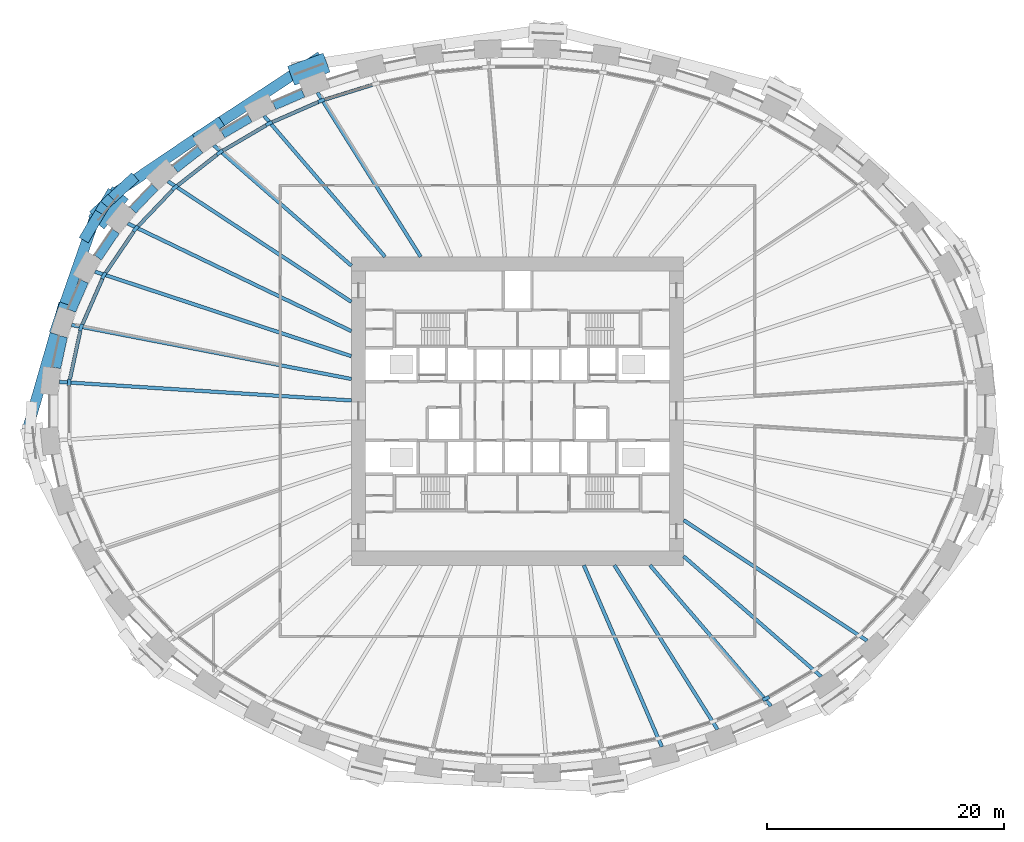
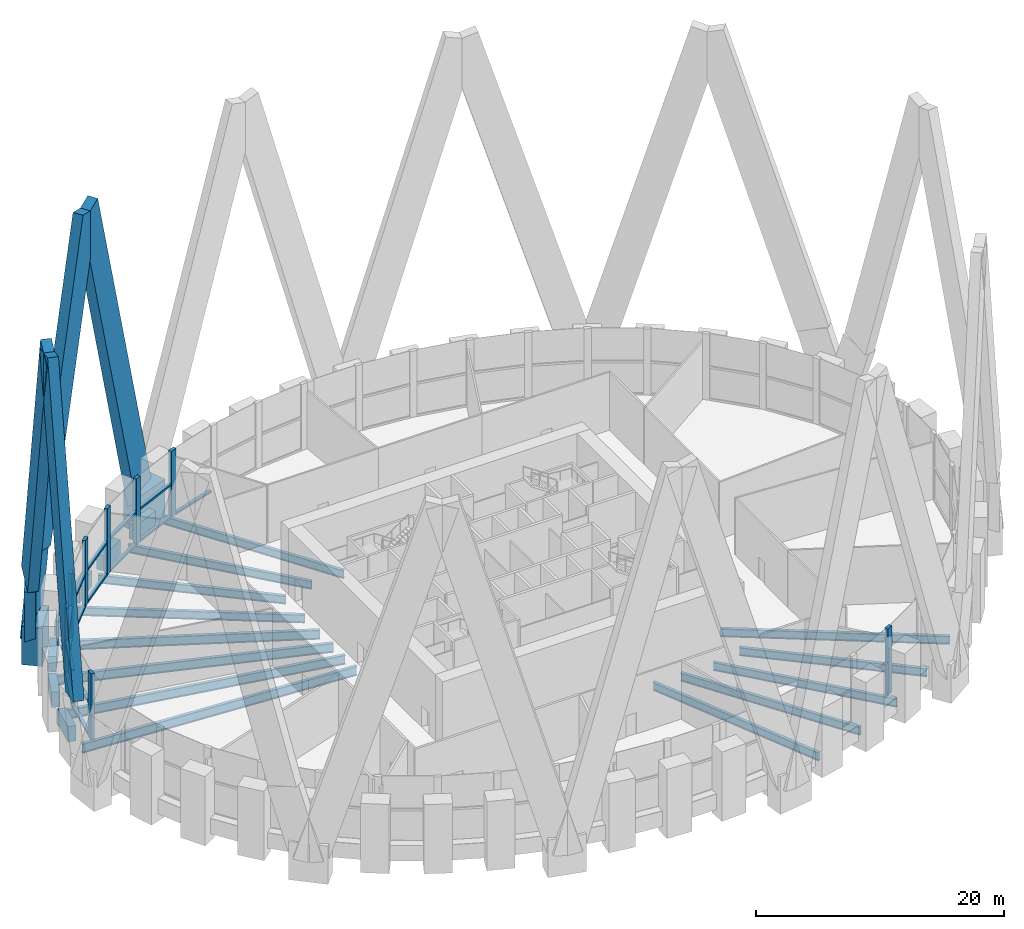
# One storey, part 3 of 17: 32 members, 20 beams, 2 elements without a shape of their own.
"""IFC4 building model written with IfcOpenShell, lengths in metres."""

from ifc_helpers import new_model, si_unit, direction, frame, origin, origin_2d, place, context, subcontext, project, spatial, rectangle, i_section, extrude, source, transform, mapped, material, material_profile, profile_set, type_object, element, aggregate, save


model = new_model("IFC4")

# Units and contexts
model_context = context("Model", 3, precision=1e-05, world=origin(), true_north=direction((0.0, 1.0)))
body_context = subcontext(model_context, "Body", "Model", "MODEL_VIEW")
ifc_project = project(units=[si_unit("LENGTHUNIT", "METRE"), si_unit("AREAUNIT", "SQUARE_METRE"), si_unit("VOLUMEUNIT", "CUBIC_METRE"), si_unit("PLANEANGLEUNIT", "RADIAN"), si_unit("MASSUNIT", "GRAM", prefix="KILO")], contexts=[model_context])

# Site, building, storey
site_placement = place(None, origin())
site = spatial("IfcSite", under=ifc_project, at=site_placement, CompositionType="ELEMENT")
building_placement = place(site_placement, origin())
building = spatial("IfcBuilding", under=site, at=building_placement, Name="Embergate Tower", CompositionType="ELEMENT")
storey_placement = place(building_placement, frame((0.0, 0.0, 125.0)))
storey = spatial("IfcBuildingStorey", under=building, at=storey_placement, Name="L27", CompositionType="ELEMENT", Elevation=125.0)

# Beams
ifc_material_1 = material(Name="Concrete C70", Category="concrete")
ifc_material_profile_1 = material_profile(ifc_material_1, rectangle(XDim=0.699951171875, YDim=1.5, at=origin_2d()), Name="RC 700x1500")
ifc_profile_set_1 = profile_set([ifc_material_profile_1], Name="Concrete C70")
beam_type_1 = type_object("IfcBeamType", Name="Spandrel beam RC 700x1500 C70", PredefinedType="BEAM", material=ifc_profile_set_1)
shared_shape_1 = source(origin(), body_context, "Body", "SweptSolid", [
    extrude(rectangle(XDim=0.699951171875, YDim=1.5, at=origin_2d()), origin(), (0.0, 0.0, 1.0), 2.6923828125),
])
beam_1_placement = place(storey_placement, frame((-38.27587890625, 6.26611328125, 0.0), z_axis=(-0.210637397384, -0.977564262247, 0.0), x_axis=(0.977564262247, -0.210637397384, 0.0)))
element("IfcBeam", 1, at=beam_1_placement, inside=storey, type_object=beam_type_1, Name="SPN-L27-20", PredefinedType="BEAM", context=body_context, shape_type="MappedRepresentation", body=[
    mapped(shared_shape_1, transform((0.0, 0.0, 0.0))),
])
shared_shape_2 = source(origin(), body_context, "Body", "SweptSolid", [
    extrude(rectangle(XDim=0.699951171875, YDim=1.5, at=origin_2d()), origin(), (0.0, 0.0, 1.0), 2.689208984375),
])
beam_2_placement = place(storey_placement, frame((-36.489013671875, 10.9169921875, 0.0), z_axis=(-0.401618751738, -0.915806954687, 0.0), x_axis=(0.915806954687, -0.401618751738, 0.0)))
element("IfcBeam", 2, at=beam_2_placement, inside=storey, type_object=beam_type_1, Name="SPN-L27-19", PredefinedType="BEAM", context=body_context, shape_type="MappedRepresentation", body=[
    mapped(shared_shape_2, transform((0.0, 0.0, 0.0))),
])
shared_shape_3 = source(origin(), body_context, "Body", "SweptSolid", [
    extrude(rectangle(XDim=0.699951171875, YDim=1.5, at=origin_2d()), origin(), (0.0, 0.0, 1.0), 2.678466796875),
])
beam_3_placement = place(storey_placement, frame((-33.85205078125, 15.134033203125, 0.0), z_axis=(-0.562207798454, -0.826996004438, 0.0), x_axis=(0.826996004438, -0.562207798454, 0.0)))
element("IfcBeam", 3, at=beam_3_placement, inside=storey, type_object=beam_type_1, Name="SPN-L27-18", PredefinedType="BEAM", context=body_context, shape_type="MappedRepresentation", body=[
    mapped(shared_shape_3, transform((0.0, 0.0, 0.0))),
])
shared_shape_4 = source(origin(), body_context, "Body", "SweptSolid", [
    extrude(rectangle(XDim=0.699951171875, YDim=1.5, at=origin_2d()), origin(), (0.0, 0.0, 1.0), 2.673583984375),
])
beam_4_placement = place(storey_placement, frame((-30.56103515625, 18.85791015625, 0.0), z_axis=(-0.690104255292, -0.72370996734, 0.0), x_axis=(0.72370996734, -0.690104255292, 0.0)))
element("IfcBeam", 4, at=beam_4_placement, inside=storey, type_object=beam_type_1, Name="SPN-L27-17", PredefinedType="BEAM", context=body_context, shape_type="MappedRepresentation", body=[
    mapped(shared_shape_4, transform((0.0, 0.0, 0.0))),
])
shared_shape_5 = source(origin(), body_context, "Body", "SweptSolid", [
    extrude(rectangle(XDim=0.699951171875, YDim=1.5, at=origin_2d()), origin(), (0.0, 0.0, 1.0), 2.666015625),
])
beam_5_placement = place(storey_placement, frame((-26.741943359375, 22.028076171875, 0.0), z_axis=(-0.788088232686, -0.615562293762, 0.0), x_axis=(0.615562293762, -0.788088232686, 0.0)))
element("IfcBeam", 5, at=beam_5_placement, inside=storey, type_object=beam_type_1, Name="SPN-L27-16", PredefinedType="BEAM", context=body_context, shape_type="MappedRepresentation", body=[
    mapped(shared_shape_5, transform((0.0, 0.0, 0.0))),
])
shared_shape_6 = source(origin(), body_context, "Body", "SweptSolid", [
    extrude(rectangle(XDim=0.699951171875, YDim=1.5, at=origin_2d()), origin(), (0.0, 0.0, 1.0), 2.661376953125),
])
beam_6_placement = place(storey_placement, frame((-22.5458984375, 24.669921875, 0.0), z_axis=(-0.862040317261, -0.506839709787, 0.0), x_axis=(0.506839709787, -0.862040317261, 0.0)))
element("IfcBeam", 6, at=beam_6_placement, inside=storey, type_object=beam_type_1, Name="SPN-L27-15", PredefinedType="BEAM", context=body_context, shape_type="MappedRepresentation", body=[
    mapped(shared_shape_6, transform((0.0, 0.0, 0.0))),
])
shared_shape_7 = source(origin(), body_context, "Body", "SweptSolid", [
    extrude(rectangle(XDim=0.699951171875, YDim=1.5, at=origin_2d()), origin(), (0.0, 0.0, 1.0), 2.658203125),
])
beam_7_placement = place(storey_placement, frame((-18.06103515625, 26.780029296875, 0.0), z_axis=(-0.916405886448, -0.400250235833, 0.0), x_axis=(0.400250235833, -0.916405886448, 0.0)))
element("IfcBeam", 7, at=beam_7_placement, inside=storey, type_object=beam_type_1, Name="SPN-L27-14", PredefinedType="BEAM", context=body_context, shape_type="MappedRepresentation", body=[
    mapped(shared_shape_7, transform((0.0, 0.0, 0.0))),
])
ifc_material_2 = material(Name="Steel Q355B", Category="steel")
ifc_material_profile_2 = material_profile(ifc_material_2, i_section(OverallWidth=0.300048828125, OverallDepth=0.89990234375, WebThickness=0.01611328125, FlangeThickness=0.028076171875, FilletRadius=0.028076171875, at=origin_2d()), Name="HN 900x300x16x28")
ifc_profile_set_2 = profile_set([ifc_material_profile_2], Name="Steel Q355 grade B")
beam_type_2 = type_object("IfcBeamType", Name="Radial girder HN 900x300x16x28", PredefinedType="BEAM", material=ifc_profile_set_2)
shared_shape_8 = source(origin(), body_context, "Body", "SweptSolid", [
    extrude(i_section(OverallWidth=0.300048828125, OverallDepth=0.89990234375, WebThickness=0.01611328125, FlangeThickness=0.028076171875, FilletRadius=0.028076171875, at=origin_2d()), origin(), (0.0, 0.0, 1.0), 24.66552734375),
])
beam_8_placement = place(storey_placement, frame((-38.615966796875, 2.452880859375, -0.75), z_axis=(0.997987769209, -0.063406722897, 0.0), x_axis=(0.063406722897, 0.997987769209, 0.0)))
element("IfcBeam", 8, at=beam_8_placement, inside=storey, type_object=beam_type_2, Name="GIR-L27-21", PredefinedType="BEAM", context=body_context, shape_type="MappedRepresentation", body=[
    mapped(shared_shape_8, transform((0.0, 0.0, 0.0))),
])
shared_shape_9 = source(origin(), body_context, "Body", "SweptSolid", [
    extrude(i_section(OverallWidth=0.300048828125, OverallDepth=0.89990234375, WebThickness=0.01611328125, FlangeThickness=0.028076171875, FilletRadius=0.028076171875, at=origin_2d()), origin(), (0.0, 0.0, 1.0), 24.018798828125),
])
beam_9_placement = place(storey_placement, frame((-37.583984375, 7.25, -0.75), z_axis=(0.981893025148, -0.18943623509, 0.0), x_axis=(0.18943623509, 0.981893025148, 0.0)))
element("IfcBeam", 9, at=beam_9_placement, inside=storey, type_object=beam_type_2, Name="GIR-L27-20", PredefinedType="BEAM", context=body_context, shape_type="MappedRepresentation", body=[
    mapped(shared_shape_9, transform((0.0, 0.0, 0.0))),
])
shared_shape_10 = source(origin(), body_context, "Body", "SweptSolid", [
    extrude(i_section(OverallWidth=0.300048828125, OverallDepth=0.89990234375, WebThickness=0.01611328125, FlangeThickness=0.028076171875, FilletRadius=0.028076171875, at=origin_2d()), origin(), (0.0, 0.0, 1.0), 22.758056640625),
])
beam_10_placement = place(storey_placement, frame((-35.613037109375, 11.7451171875, -0.75), z_axis=(0.949682619366, -0.313213860603, 0.0), x_axis=(0.313213860603, 0.949682619366, 0.0)))
element("IfcBeam", 10, at=beam_10_placement, inside=storey, type_object=beam_type_2, Name="GIR-L27-19", PredefinedType="BEAM", context=body_context, shape_type="MappedRepresentation", body=[
    mapped(shared_shape_10, transform((0.0, 0.0, 0.0))),
])
shared_shape_11 = source(origin(), body_context, "Body", "SweptSolid", [
    extrude(i_section(OverallWidth=0.300048828125, OverallDepth=0.89990234375, WebThickness=0.01611328125, FlangeThickness=0.028076171875, FilletRadius=0.028076171875, at=origin_2d()), origin(), (0.0, 0.0, 1.0), 20.919921875),
])
beam_11_placement = place(storey_placement, frame((-32.85205078125, 15.803955078125, -0.75), z_axis=(0.901152314796, -0.433502601536, 0.0), x_axis=(0.433502601536, 0.901152314796, 0.0)))
element("IfcBeam", 11, at=beam_11_placement, inside=storey, type_object=beam_type_2, Name="GIR-L27-18", PredefinedType="BEAM", context=body_context, shape_type="MappedRepresentation", body=[
    mapped(shared_shape_11, transform((0.0, 0.0, 0.0))),
])
ifc_material_profile_3 = material_profile(ifc_material_2, i_section(OverallWidth=0.300048828125, OverallDepth=0.800048828125, WebThickness=0.013916015625, FlangeThickness=0.02587890625, FilletRadius=0.028076171875, at=origin_2d()), Name="HN 800x300x14x26")
ifc_profile_set_3 = profile_set([ifc_material_profile_3], Name="Steel Q355 grade B")
beam_type_3 = type_object("IfcBeamType", Name="Radial girder HN 800x300x14x26", PredefinedType="BEAM", material=ifc_profile_set_3)
shared_shape_12 = source(origin(), body_context, "Body", "SweptSolid", [
    extrude(i_section(OverallWidth=0.300048828125, OverallDepth=0.800048828125, WebThickness=0.013916015625, FlangeThickness=0.02587890625, FilletRadius=0.028076171875, at=origin_2d()), origin(), (0.0, 0.0, 1.0), 18.501953125),
])
for number, where, z_axis, x_axis, name in (
    (12, (-29.462890625, 19.35791015625, -0.699951171875), (0.835740602897, -0.549124434596, 0.0), (0.549124434596, 0.835740602897, 0.0), "GIR-L27-17"),
    (13, (29.462890625, -19.35791015625, -0.699951171875), (-0.835740602897, 0.549124434596, 0.0), (-0.549124434596, -0.835740602897, 0.0), "GIR-L27-39"),
):
    element("IfcBeam", number, at=place(storey_placement, frame(where, z_axis=z_axis, x_axis=x_axis)), inside=storey, type_object=beam_type_3, Name=name, PredefinedType="BEAM", context=body_context, shape_type="MappedRepresentation", body=[
        mapped(shared_shape_12, transform((0.0, 0.0, 0.0))),
    ])
shared_shape_13 = source(origin(), body_context, "Body", "SweptSolid", [
    extrude(i_section(OverallWidth=0.300048828125, OverallDepth=0.800048828125, WebThickness=0.013916015625, FlangeThickness=0.02587890625, FilletRadius=0.028076171875, at=origin_2d()), origin(), (0.0, 0.0, 1.0), 15.399169921875),
])
for number, where, z_axis, x_axis, name in (
    (14, (-25.592041015625, 22.3798828125, -0.699951171875), (0.752772102856, -0.658281217385, 0.0), (0.658281217385, 0.752772102856, 0.0), "GIR-L27-16"),
    (15, (25.592041015625, -22.3798828125, -0.699951171875), (-0.752772102856, 0.658281217385, 0.0), (-0.658281217385, -0.752772102856, 0.0), "GIR-L27-38"),
):
    element("IfcBeam", number, at=place(storey_placement, frame(where, z_axis=z_axis, x_axis=x_axis)), inside=storey, type_object=beam_type_3, Name=name, PredefinedType="BEAM", context=body_context, shape_type="MappedRepresentation", body=[
        mapped(shared_shape_13, transform((0.0, 0.0, 0.0))),
    ])
shared_shape_14 = source(origin(), body_context, "Body", "SweptSolid", [
    extrude(i_section(OverallWidth=0.300048828125, OverallDepth=0.800048828125, WebThickness=0.013916015625, FlangeThickness=0.02587890625, FilletRadius=0.028076171875, at=origin_2d()), origin(), (0.0, 0.0, 1.0), 15.64599609375),
])
for number, where, z_axis, x_axis, name in (
    (16, (-21.35693359375, 24.8701171875, -0.699951171875), (0.651472185751, -0.758672519071, 0.0), (0.758672519071, 0.651472185751, 0.0), "GIR-L27-15"),
    (17, (21.35693359375, -24.8701171875, -0.699951171875), (-0.651472185751, 0.758672519071, 0.0), (-0.758672519071, -0.651472185751, 0.0), "GIR-L27-37"),
):
    element("IfcBeam", number, at=place(storey_placement, frame(where, z_axis=z_axis, x_axis=x_axis)), inside=storey, type_object=beam_type_3, Name=name, PredefinedType="BEAM", context=body_context, shape_type="MappedRepresentation", body=[
        mapped(shared_shape_14, transform((0.0, 0.0, 0.0))),
    ])
shared_shape_15 = source(origin(), body_context, "Body", "SweptSolid", [
    extrude(i_section(OverallWidth=0.300048828125, OverallDepth=0.800048828125, WebThickness=0.013916015625, FlangeThickness=0.02587890625, FilletRadius=0.028076171875, at=origin_2d()), origin(), (0.0, 0.0, 1.0), 16.3408203125),
])
for number, where, z_axis, x_axis, name in (
    (18, (-16.85595703125, 26.837890625, -0.699951171875), (0.531856347721, -0.846834591517, 0.0), (0.846834591517, 0.531856347721, 0.0), "GIR-L27-14"),
    (19, (16.85595703125, -26.837890625, -0.699951171875), (-0.531856347721, 0.846834591517, 0.0), (-0.846834591517, -0.531856347721, 0.0), "GIR-L27-36"),
):
    element("IfcBeam", number, at=place(storey_placement, frame(where, z_axis=z_axis, x_axis=x_axis)), inside=storey, type_object=beam_type_3, Name=name, PredefinedType="BEAM", context=body_context, shape_type="MappedRepresentation", body=[
        mapped(shared_shape_15, transform((0.0, 0.0, 0.0))),
    ])
shared_shape_16 = source(origin(), body_context, "Body", "SweptSolid", [
    extrude(i_section(OverallWidth=0.300048828125, OverallDepth=0.800048828125, WebThickness=0.013916015625, FlangeThickness=0.02587890625, FilletRadius=0.028076171875, at=origin_2d()), origin(), (0.0, 0.0, 1.0), 16.652587890625),
])
beam_12_placement = place(storey_placement, frame((12.1640625, -28.299072265625, -0.699951171875), z_axis=(-0.394904635078, 0.918722117506, 0.0), x_axis=(-0.918722117506, -0.394904635078, 0.0)))
element("IfcBeam", 20, at=beam_12_placement, inside=storey, type_object=beam_type_3, Name="GIR-L27-35", PredefinedType="BEAM", context=body_context, shape_type="MappedRepresentation", body=[
    mapped(shared_shape_16, transform((0.0, 0.0, 0.0))),
])

# Members
ifc_material_profile_4 = material_profile(ifc_material_1, rectangle(XDim=1.699951171875, YDim=3.199951171875, at=origin_2d()), Name="RC 1700x3200")
ifc_profile_set_4 = profile_set([ifc_material_profile_4], Name="Concrete C70")
member_type_1 = type_object("IfcMemberType", Name="Lattice node block RC 1700x3200", PredefinedType="POST", material=ifc_profile_set_4)
shared_shape_17 = source(origin(), body_context, "Body", "SweptSolid", [
    extrude(rectangle(XDim=1.699951171875, YDim=3.199951171875, at=origin_2d()), origin(), (0.0, 0.0, 1.0), 3.7001953125),
])
member_1_placement = place(storey_placement, frame((-17.5869140625, 28.806884765625, -1.85009765625), z_axis=(0.0, 0.0, 1.0), x_axis=(-0.348343015724, 0.93736713373, 0.0)))
element("IfcMember", 21, at=member_1_placement, inside=storey, type_object=member_type_1, Name="NOD-L27-14", PredefinedType="POST", context=body_context, shape_type="MappedRepresentation", body=[
    mapped(shared_shape_17, transform((0.0, 0.0, 0.0))),
])
ifc_material_profile_5 = material_profile(ifc_material_1, rectangle(XDim=1.699951171875, YDim=3.25, at=origin_2d()), Name="RC 1700x3250")
ifc_profile_set_5 = profile_set([ifc_material_profile_5], Name="Concrete C70")
member_type_2 = type_object("IfcMemberType", Name="Lattice node block RC 1700x3250", PredefinedType="POST", material=ifc_profile_set_5)
shared_shape_18 = source(origin(), body_context, "Body", "SweptSolid", [
    extrude(rectangle(XDim=1.699951171875, YDim=3.25, at=origin_2d()), origin(), (0.0, 0.0, 1.0), 3.75),
])
member_2_placement = place(storey_placement, frame((-34.48193359375, 17.12890625, -1.875), z_axis=(0.0, 0.0, 1.0), x_axis=(-0.775914301615, 0.630838328377, 0.0)))
element("IfcMember", 22, at=member_2_placement, inside=storey, type_object=member_type_2, Name="NOD-L27-18", PredefinedType="POST", context=body_context, shape_type="MappedRepresentation", body=[
    mapped(shared_shape_18, transform((0.0, 0.0, 0.0))),
])
ifc_material_profile_6 = material_profile(ifc_material_1, rectangle(XDim=0.89990234375, YDim=2.800048828125, at=origin_2d()), Name="RC 900x2800")
ifc_profile_set_6 = profile_set([ifc_material_profile_6], Name="Concrete C70")
member_type_3 = type_object("IfcMemberType", Name="Lattice diagonal terracotta-faced RC 900x2800", PredefinedType="BRACE", material=ifc_profile_set_6)
shared_shape_19 = source(origin(), body_context, "Body", "SweptSolid", [
    extrude(rectangle(XDim=0.89990234375, YDim=2.800048828125, at=origin_2d()), origin(), (0.0, 0.0, 1.0), 36.2958984375),
])
member_3_placement = place(storey_placement, frame((-17.7109375, 29.139892578125, 0.0), z_axis=(-0.229699296413, -0.150617196558, 0.961536631298), x_axis=(0.548343486875, -0.836253203523, 0.0)))
element("IfcMember", 23, at=member_3_placement, inside=storey, type_object=member_type_3, Name="BRC-L27-14-16-S00", PredefinedType="BRACE", context=body_context, shape_type="MappedRepresentation", body=[
    mapped(shared_shape_19, transform((0.0, 0.0, 0.0))),
])
shared_shape_20 = source(origin(), body_context, "Body", "SweptSolid", [
    extrude(rectangle(XDim=0.89990234375, YDim=2.800048828125, at=origin_2d()), origin(), (0.0, 0.0, 1.0), 7.325927734375),
])
member_4_placement = place(storey_placement, frame((-34.791015625, 17.3798828125, 0.0), z_axis=(0.217182302212, 0.199586436696, 0.955508818323), x_axis=(-0.676650122659, 0.736304700179, 0.0)))
element("IfcMember", 24, at=member_4_placement, inside=storey, type_object=member_type_3, Name="BRC-L27-18-16-S00", PredefinedType="BRACE", context=body_context, shape_type="MappedRepresentation", body=[
    mapped(shared_shape_20, transform((0.0, 0.0, 0.0))),
])
shared_shape_21 = source(origin(), body_context, "Body", "SweptSolid", [
    extrude(rectangle(XDim=0.89990234375, YDim=2.800048828125, at=origin_2d()), origin(), (0.0, 0.0, 1.0), 29.204345703125),
])
member_5_placement = place(storey_placement, frame((-33.199951171875, 18.842041015625, 7.0), z_axis=(0.244890273656, 0.16542256896, 0.955334563149), x_axis=(-0.559755577265, 0.828657766343, 0.0)))
element("IfcMember", 25, at=member_5_placement, inside=storey, type_object=member_type_3, Name="BRC-L27-18-16-S01", PredefinedType="BRACE", context=body_context, shape_type="MappedRepresentation", body=[
    mapped(shared_shape_21, transform((0.0, 0.0, 0.0))),
])
shared_shape_22 = source(origin(), body_context, "Body", "SweptSolid", [
    extrude(rectangle(XDim=0.89990234375, YDim=2.800048828125, at=origin_2d()), origin(), (0.0, 0.0, 1.0), 7.31640625),
])
member_6_placement = place(storey_placement, frame((-34.791015625, 17.3798828125, 0.0), z_axis=(-0.148558636958, -0.25010040072, 0.956754995255), x_axis=(0.859761883795, -0.510695117632, 0.0)))
element("IfcMember", 26, at=member_6_placement, inside=storey, type_object=member_type_3, Name="BRC-L27-18-20-S00", PredefinedType="BRACE", context=body_context, shape_type="MappedRepresentation", body=[
    mapped(shared_shape_22, transform((0.0, 0.0, 0.0))),
])
shared_shape_23 = source(origin(), body_context, "Body", "SweptSolid", [
    extrude(rectangle(XDim=0.89990234375, YDim=2.800048828125, at=origin_2d()), origin(), (0.0, 0.0, 1.0), 29.0888671875),
])
member_7_placement = place(storey_placement, frame((-35.8779296875, 15.550048828125, 7.0), z_axis=(-0.09333756313, -0.26714635684, 0.959125082216), x_axis=(0.944038546326, -0.329835145262, 0.0)))
element("IfcMember", 27, at=member_7_placement, inside=storey, type_object=member_type_3, Name="BRC-L27-18-20-S01", PredefinedType="BRACE", context=body_context, shape_type="MappedRepresentation", body=[
    mapped(shared_shape_23, transform((0.0, 0.0, 0.0))),
])
shared_shape_24 = source(origin(), body_context, "Body", "SweptSolid", [
    extrude(rectangle(XDim=0.89990234375, YDim=2.800048828125, at=origin_2d()), origin(), (0.0, 0.0, 1.0), 29.21484375),
])
member_8_placement = place(storey_placement, frame((-41.0009765625, -0.5458984375, 7.0), z_axis=(0.082422423744, 0.284956121592, 0.954990341748), x_axis=(-0.960622656492, 0.277856279098, 0.0)))
element("IfcMember", 28, at=member_8_placement, inside=storey, type_object=member_type_3, Name="BRC-L27-22-20-S01", PredefinedType="BRACE", context=body_context, shape_type="MappedRepresentation", body=[
    mapped(shared_shape_24, transform((0.0, 0.0, 0.0))),
])

# Curtain wall, members
ifc_material_3 = material(Name="Aluminium and glass", Category="aluminium")
curtain_wall_type = type_object("IfcCurtainWallType", Name="Sky lobby high glazing", PredefinedType="NOTDEFINED", material=ifc_material_3)
curtain_wall_1_placement = place(storey_placement, origin())
curtain_wall_1 = element("IfcCurtainWall", 29, at=curtain_wall_1_placement, inside=storey, type_object=curtain_wall_type, Name="Sky lobby high glazing run 2", ObjectType="SKY LOBBY HIGH GLAZING", PredefinedType="USERDEFINED")
ifc_material_4 = material(Name="Aluminium, thermally broken", Category="aluminium")
ifc_material_profile_7 = material_profile(ifc_material_4, rectangle(XDim=0.300048828125, YDim=0.60009765625, at=origin_2d()), Name="AL 600x300")
ifc_profile_set_7 = profile_set([ifc_material_profile_7], Name="Aluminium, thermally broken")
member_type_4 = type_object("IfcMemberType", Name="Sky lobby mullion", PredefinedType="MULLION", material=ifc_profile_set_7)
shared_shape_25 = source(origin(), body_context, "Body", "SweptSolid", [
    extrude(rectangle(XDim=0.300048828125, YDim=0.60009765625, at=origin_2d()), origin(), (0.0, 0.0, 1.0), 6.5),
])
member_9_placement = place(storey_placement, frame((-16.532470703125, 26.151611328125, 0.0), z_axis=(0.0, 0.0, 1.0), x_axis=(0.349497777064, -0.936937193107, 0.0)))
member_9 = element("IfcMember", 30, at=member_9_placement, type_object=member_type_4, Name="CW mullion 4", PredefinedType="MULLION", context=body_context, shape_type="MappedRepresentation", body=[
    mapped(shared_shape_25, transform((0.0, 0.0, 0.0))),
])
member_10_placement = place(storey_placement, frame((-20.9423828125, 24.223388671875, 0.0), z_axis=(0.0, 0.0, 1.0), x_axis=(0.45450516197, -0.8907441034, 0.0)))
member_10 = element("IfcMember", 31, at=member_10_placement, type_object=member_type_4, Name="CW mullion 5", PredefinedType="MULLION", context=body_context, shape_type="MappedRepresentation", body=[
    mapped(shared_shape_25, transform((0.0, 0.0, 0.0))),
])
member_11_placement = place(storey_placement, frame((-25.087158203125, 21.78662109375, 0.0), z_axis=(0.0, 0.0, 1.0), x_axis=(0.562208958301, -0.826995215951, 0.0)))
member_11 = element("IfcMember", 32, at=member_11_placement, type_object=member_type_4, Name="CW mullion 6", PredefinedType="MULLION", context=body_context, shape_type="MappedRepresentation", body=[
    mapped(shared_shape_25, transform((0.0, 0.0, 0.0))),
])
member_12_placement = place(storey_placement, frame((-28.871826171875, 18.832763671875, 0.0), z_axis=(0.0, 0.0, 1.0), x_axis=(0.671218771544, -0.741259307346, 0.0)))
member_12 = element("IfcMember", 33, at=member_12_placement, type_object=member_type_4, Name="CW mullion 7", PredefinedType="MULLION", context=body_context, shape_type="MappedRepresentation", body=[
    mapped(shared_shape_25, transform((0.0, 0.0, 0.0))),
])
member_13_placement = place(storey_placement, frame((-32.179443359375, 15.364501953125, 0.0), z_axis=(0.0, 0.0, 1.0), x_axis=(0.777863789852, -0.628432911643, 0.0)))
member_13 = element("IfcMember", 34, at=member_13_placement, type_object=member_type_4, Name="CW mullion 8", PredefinedType="MULLION", context=body_context, shape_type="MappedRepresentation", body=[
    mapped(shared_shape_25, transform((0.0, 0.0, 0.0))),
])
member_14_placement = place(storey_placement, frame((-34.868896484375, 11.40966796875, 0.0), z_axis=(0.0, 0.0, 1.0), x_axis=(0.874995136163, -0.484131709032, 0.0)))
member_14 = element("IfcMember", 35, at=member_14_placement, type_object=member_type_4, Name="CW mullion 9", PredefinedType="MULLION", context=body_context, shape_type="MappedRepresentation", body=[
    mapped(shared_shape_25, transform((0.0, 0.0, 0.0))),
])
member_15_placement = place(storey_placement, frame((-36.785888671875, 7.0390625, 0.0), z_axis=(0.0, 0.0, 1.0), x_axis=(0.9514940392, -0.307667179542, 0.0)))
member_15 = element("IfcMember", 36, at=member_15_placement, type_object=member_type_4, Name="CW mullion 10", PredefinedType="MULLION", context=body_context, shape_type="MappedRepresentation", body=[
    mapped(shared_shape_25, transform((0.0, 0.0, 0.0))),
])
member_16_placement = place(storey_placement, frame((-37.788330078125, 2.380859375, 0.0), z_axis=(0.0, 0.0, 1.0), x_axis=(0.994384400633, -0.105828463931, 0.0)))
member_16 = element("IfcMember", 37, at=member_16_placement, type_object=member_type_4, Name="CW mullion 11", PredefinedType="MULLION", context=body_context, shape_type="MappedRepresentation", body=[
    mapped(shared_shape_25, transform((0.0, 0.0, 0.0))),
])

# Curtain wall, member
curtain_wall_2_placement = place(storey_placement, origin())
curtain_wall_2 = element("IfcCurtainWall", 38, at=curtain_wall_2_placement, inside=storey, type_object=curtain_wall_type, Name="Sky lobby high glazing run 4", ObjectType="SKY LOBBY HIGH GLAZING", PredefinedType="USERDEFINED")
member_17_placement = place(storey_placement, frame((20.9423828125, -24.223388671875, 0.0), z_axis=(0.0, 0.0, 1.0), x_axis=(-0.45450516197, 0.8907441034, 0.0)))
member_17 = element("IfcMember", 39, at=member_17_placement, type_object=member_type_4, Name="CW mullion 5", PredefinedType="MULLION", context=body_context, shape_type="MappedRepresentation", body=[
    mapped(shared_shape_25, transform((0.0, 0.0, 0.0))),
])
aggregate(curtain_wall_2, [member_17])

# Member
ifc_material_profile_8 = material_profile(ifc_material_4, rectangle(XDim=0.300048828125, YDim=0.179931640625, at=origin_2d()), Name="AL 180x300")
ifc_profile_set_8 = profile_set([ifc_material_profile_8], Name="Aluminium, thermally broken")
member_type_5 = type_object("IfcMemberType", Name="Sky lobby transom", PredefinedType="USERDEFINED", material=ifc_profile_set_8)
shared_shape_26 = source(origin(), body_context, "Body", "SweptSolid", [
    extrude(rectangle(XDim=0.300048828125, YDim=0.179931640625, at=origin_2d()), origin(), (0.0, 0.0, 1.0), 4.172607421875),
])
member_18_placement = place(storey_placement, frame((-34.989501953125, 11.135009765625, 0.090087890625), z_axis=(-0.401616728109, -0.915807842128, 0.0), x_axis=(0.915807842128, -0.401616728109, 0.0)))
member_18 = element("IfcMember", 40, at=member_18_placement, type_object=member_type_5, Name="CW transom 9.1", ObjectType="TRANSOM", PredefinedType="USERDEFINED", context=body_context, shape_type="MappedRepresentation", body=[
    mapped(shared_shape_26, transform((0.0, 0.0, 0.0))),
])

member_19_placement = place(storey_placement, frame((-34.989501953125, 11.135009765625, 3.25), z_axis=(-0.401616728109, -0.915807842128, 0.0), x_axis=(0.915807842128, -0.401616728109, 0.0)))
member_19 = element("IfcMember", 41, at=member_19_placement, type_object=member_type_5, Name="CW transom 9.2", ObjectType="TRANSOM", PredefinedType="USERDEFINED", context=body_context, shape_type="MappedRepresentation", body=[
    mapped(shared_shape_26, transform((0.0, 0.0, 0.0))),
])

shared_shape_27 = source(origin(), body_context, "Body", "SweptSolid", [
    extrude(rectangle(XDim=0.300048828125, YDim=0.179931640625, at=origin_2d()), origin(), (0.0, 0.0, 1.0), 4.1826171875),
])
member_20_placement = place(storey_placement, frame((-32.34814453125, 15.116455078125, 0.090087890625), z_axis=(-0.562327583089, -0.826914559853, 0.0), x_axis=(0.826914559853, -0.562327583089, 0.0)))
member_20 = element("IfcMember", 42, at=member_20_placement, type_object=member_type_5, Name="CW transom 8.1", ObjectType="TRANSOM", PredefinedType="USERDEFINED", context=body_context, shape_type="MappedRepresentation", body=[
    mapped(shared_shape_27, transform((0.0, 0.0, 0.0))),
])

member_21_placement = place(storey_placement, frame((-32.34814453125, 15.116455078125, 3.25), z_axis=(-0.562327583089, -0.826914559853, 0.0), x_axis=(0.826914559853, -0.562327583089, 0.0)))
member_21 = element("IfcMember", 43, at=member_21_placement, type_object=member_type_5, Name="CW transom 8.2", ObjectType="TRANSOM", PredefinedType="USERDEFINED", context=body_context, shape_type="MappedRepresentation", body=[
    mapped(shared_shape_27, transform((0.0, 0.0, 0.0))),
])

shared_shape_28 = source(origin(), body_context, "Body", "SweptSolid", [
    extrude(rectangle(XDim=0.300048828125, YDim=0.179931640625, at=origin_2d()), origin(), (0.0, 0.0, 1.0), 4.192626953125),
])
member_22_placement = place(storey_placement, frame((-29.078857421875, 18.61572265625, 0.090087890625), z_axis=(-0.690137750546, -0.723678025969, 0.0), x_axis=(0.723678025969, -0.690137750546, 0.0)))
member_22 = element("IfcMember", 44, at=member_22_placement, type_object=member_type_5, Name="CW transom 7.1", ObjectType="TRANSOM", PredefinedType="USERDEFINED", context=body_context, shape_type="MappedRepresentation", body=[
    mapped(shared_shape_28, transform((0.0, 0.0, 0.0))),
])

member_23_placement = place(storey_placement, frame((-29.078857421875, 18.61572265625, 3.25), z_axis=(-0.690137750546, -0.723678025969, 0.0), x_axis=(0.723678025969, -0.690137750546, 0.0)))
member_23 = element("IfcMember", 45, at=member_23_placement, type_object=member_type_5, Name="CW transom 7.2", ObjectType="TRANSOM", PredefinedType="USERDEFINED", context=body_context, shape_type="MappedRepresentation", body=[
    mapped(shared_shape_28, transform((0.0, 0.0, 0.0))),
])

shared_shape_29 = source(origin(), body_context, "Body", "SweptSolid", [
    extrude(rectangle(XDim=0.300048828125, YDim=0.179931640625, at=origin_2d()), origin(), (0.0, 0.0, 1.0), 4.201171875),
])
member_24_placement = place(storey_placement, frame((-25.323486328125, 21.60205078125, 0.090087890625), z_axis=(-0.78834671824, -0.615231218193, 0.0), x_axis=(0.615231218193, -0.78834671824, 0.0)))
member_24 = element("IfcMember", 46, at=member_24_placement, type_object=member_type_5, Name="CW transom 6.1", ObjectType="TRANSOM", PredefinedType="USERDEFINED", context=body_context, shape_type="MappedRepresentation", body=[
    mapped(shared_shape_29, transform((0.0, 0.0, 0.0))),
])

member_25_placement = place(storey_placement, frame((-25.323486328125, 21.60205078125, 3.25), z_axis=(-0.78834671824, -0.615231218193, 0.0), x_axis=(0.615231218193, -0.78834671824, 0.0)))
member_25 = element("IfcMember", 47, at=member_25_placement, type_object=member_type_5, Name="CW transom 6.2", ObjectType="TRANSOM", PredefinedType="USERDEFINED", context=body_context, shape_type="MappedRepresentation", body=[
    mapped(shared_shape_29, transform((0.0, 0.0, 0.0))),
])

shared_shape_30 = source(origin(), body_context, "Body", "SweptSolid", [
    extrude(rectangle(XDim=0.300048828125, YDim=0.179931640625, at=origin_2d()), origin(), (0.0, 0.0, 1.0), 4.2080078125),
])
member_26_placement = place(storey_placement, frame((-21.200927734375, 24.0712890625, 0.090087890625), z_axis=(-0.862075868471, -0.506779238919, 0.0), x_axis=(0.506779238919, -0.862075868471, 0.0)))
member_26 = element("IfcMember", 48, at=member_26_placement, type_object=member_type_5, Name="CW transom 5.1", ObjectType="TRANSOM", PredefinedType="USERDEFINED", context=body_context, shape_type="MappedRepresentation", body=[
    mapped(shared_shape_30, transform((0.0, 0.0, 0.0))),
])

member_27_placement = place(storey_placement, frame((-21.200927734375, 24.0712890625, 3.25), z_axis=(-0.862075868471, -0.506779238919, 0.0), x_axis=(0.506779238919, -0.862075868471, 0.0)))
member_27 = element("IfcMember", 49, at=member_27_placement, type_object=member_type_5, Name="CW transom 5.2", ObjectType="TRANSOM", PredefinedType="USERDEFINED", context=body_context, shape_type="MappedRepresentation", body=[
    mapped(shared_shape_30, transform((0.0, 0.0, 0.0))),
])

shared_shape_31 = source(origin(), body_context, "Body", "SweptSolid", [
    extrude(rectangle(XDim=0.300048828125, YDim=0.179931640625, at=origin_2d()), origin(), (0.0, 0.0, 1.0), 4.213134765625),
])
member_28_placement = place(storey_placement, frame((-16.807373046875, 26.031494140625, 0.090087890625), z_axis=(-0.916227809224, -0.400657711275, 0.0), x_axis=(0.400657711275, -0.916227809224, 0.0)))
member_28 = element("IfcMember", 50, at=member_28_placement, type_object=member_type_5, Name="CW transom 4.1", ObjectType="TRANSOM", PredefinedType="USERDEFINED", context=body_context, shape_type="MappedRepresentation", body=[
    mapped(shared_shape_31, transform((0.0, 0.0, 0.0))),
])

member_29_placement = place(storey_placement, frame((-16.807373046875, 26.031494140625, 3.25), z_axis=(-0.916227809224, -0.400657711275, 0.0), x_axis=(0.400657711275, -0.916227809224, 0.0)))
member_29 = element("IfcMember", 51, at=member_29_placement, type_object=member_type_5, Name="CW transom 4.2", ObjectType="TRANSOM", PredefinedType="USERDEFINED", context=body_context, shape_type="MappedRepresentation", body=[
    mapped(shared_shape_31, transform((0.0, 0.0, 0.0))),
])

shared_shape_32 = source(origin(), body_context, "Body", "SweptSolid", [
    extrude(rectangle(XDim=0.300048828125, YDim=0.179931640625, at=origin_2d()), origin(), (0.0, 0.0, 1.0), 4.216796875),
])
member_30_placement = place(storey_placement, frame((-12.219970703125, 27.49462890625, 0.090087890625), z_axis=(-0.954783391598, -0.297302329504, 0.0), x_axis=(0.297302329504, -0.954783391598, 0.0)))
member_30 = element("IfcMember", 52, at=member_30_placement, type_object=member_type_5, Name="CW transom 3.1", ObjectType="TRANSOM", PredefinedType="USERDEFINED", context=body_context, shape_type="MappedRepresentation", body=[
    mapped(shared_shape_32, transform((0.0, 0.0, 0.0))),
])

shared_shape_33 = source(origin(), body_context, "Body", "SweptSolid", [
    extrude(rectangle(XDim=0.300048828125, YDim=0.179931640625, at=origin_2d()), origin(), (0.0, 0.0, 1.0), 4.164794921875),
])
member_31_placement = place(storey_placement, frame((-36.84912109375, 6.74560546875, 0.090087890625), z_axis=(-0.21038973116, -0.977617594473, 0.0), x_axis=(0.977617594473, -0.21038973116, 0.0)))
member_31 = element("IfcMember", 53, at=member_31_placement, type_object=member_type_5, Name="CW transom 10.1", ObjectType="TRANSOM", PredefinedType="USERDEFINED", context=body_context, shape_type="MappedRepresentation", body=[
    mapped(shared_shape_33, transform((0.0, 0.0, 0.0))),
])

member_32_placement = place(storey_placement, frame((-36.84912109375, 6.74560546875, 3.25), z_axis=(-0.21038973116, -0.977617594473, 0.0), x_axis=(0.977617594473, -0.21038973116, 0.0)))
member_32 = element("IfcMember", 54, at=member_32_placement, type_object=member_type_5, Name="CW transom 10.2", ObjectType="TRANSOM", PredefinedType="USERDEFINED", context=body_context, shape_type="MappedRepresentation", body=[
    mapped(shared_shape_33, transform((0.0, 0.0, 0.0))),
])

aggregate(curtain_wall_1, [member_9, member_10, member_11, member_12, member_13, member_14, member_15, member_16, member_30, member_28, member_29, member_26, member_27, member_24, member_25, member_22, member_23, member_20, member_21, member_18, member_19, member_31, member_32])

save(model, "model.ifc")
